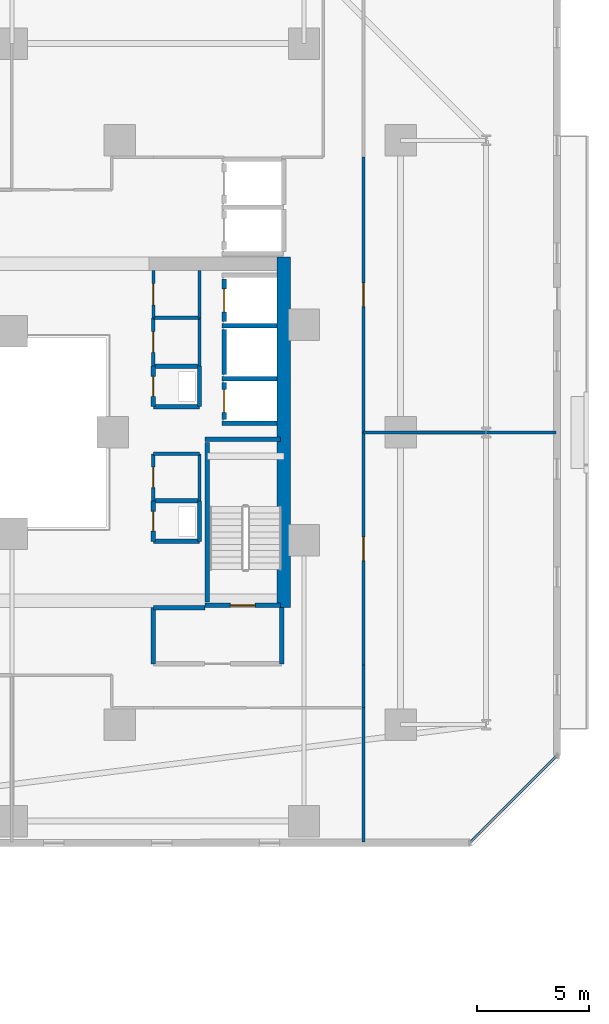
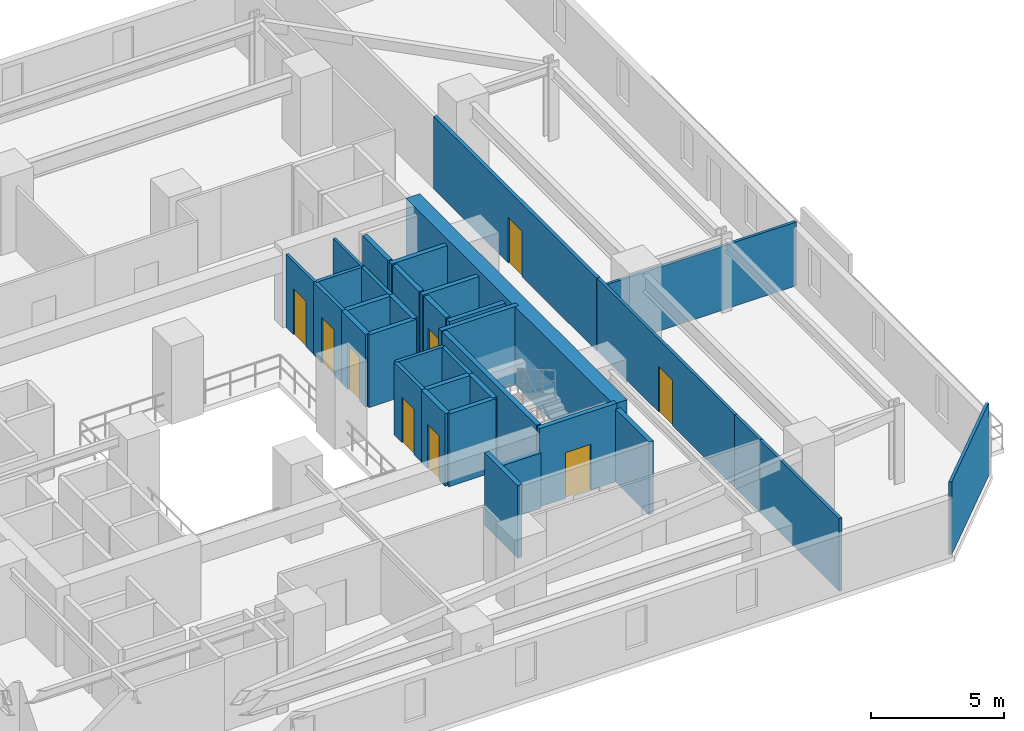
# One storey, part 25 of 34: 35 walls, 10 doors, 10 openings.
"""IFC4 building model written with IfcOpenShell, lengths in metres."""

from ifc_helpers import new_model, si_unit, direction, frame, frame_2d, origin, place, context, subcontext, project, spatial, rectangle, extrude, material, layer, layer_set, type_object, element, fill, save


model = new_model("IFC4")

# Units and contexts
model_context = context("Model", 3, precision=1e-05, world=origin(), true_north=direction((0.0, 1.0)))
body_context = subcontext(model_context, "Body", "Model", "MODEL_VIEW")
ifc_project = project(units=[si_unit("LENGTHUNIT", "METRE"), si_unit("AREAUNIT", "SQUARE_METRE"), si_unit("VOLUMEUNIT", "CUBIC_METRE"), si_unit("PLANEANGLEUNIT", "RADIAN"), si_unit("MASSUNIT", "GRAM", prefix="KILO")], contexts=[model_context])

# Site, building, storey
site_placement = place(None, origin())
site = spatial("IfcSite", under=ifc_project, at=site_placement, CompositionType="ELEMENT")
building_placement = place(site_placement, origin())
building = spatial("IfcBuilding", under=site, at=building_placement, Name="Thornwick Lancets Civic Towers", CompositionType="ELEMENT")
storey_placement = place(building_placement, frame((0.0, 0.0, 53.699951171875)))
storey = spatial("IfcBuildingStorey", under=building, at=storey_placement, Name="L13", CompositionType="ELEMENT", Elevation=53.699951171875)

# Wall, opening, door
ifc_material_1 = material(Name="Concrete blockwork C40/50", Category="masonry")
ifc_layer_1 = layer(ifc_material_1, 0.199951171875, Name="Concrete blockwork C40/50")
ifc_layer_set_1 = layer_set([ifc_layer_1], Name="Concrete blockwork C40/50")
wall_type_1 = type_object("IfcWallType", Name="WALL_COMP_200", PredefinedType="STANDARD", material=ifc_layer_set_1)
wall_1_placement = place(storey_placement, frame((97.949951171875, 29.219970703125, 0.0), z_axis=(0.0, 0.0, 1.0), x_axis=(0.0, -1.0, 0.0)))
wall_1 = element("IfcWall", 1, at=wall_1_placement, inside=storey, type_object=wall_type_1, Name="L13 Hoistway Front Wall FL-B1", PredefinedType="STANDARD", context=body_context, shape_type="SweptSolid", body=[
    extrude(rectangle(XDim=1.639892578125, YDim=0.199951171875, at=frame_2d((0.81982421875, 0.0))), origin(), (0.0, 0.0, 1.0), 3.340087890625),
])
opening_1_placement = place(wall_1_placement, frame((0.31005859375, 0.0, 0.0)))
opening_1 = element("IfcOpeningElement", 2, at=opening_1_placement, cuts=wall_1, Name="Opening LD-FL-B1", PredefinedType="OPENING", context=body_context, shape_type="SweptSolid", body=[
    extrude(rectangle(XDim=1.02001953125, YDim=2.06005859375, at=frame_2d((0.510009765625, 1.030029296875))), frame((0.0, 0.10986328125, 0.0), z_axis=(0.0, -1.0, 0.0), x_axis=(1.0, 0.0, 0.0)), (0.0, 0.0, 1.0), 0.219970703125),
])
ifc_material_2 = material(Name="Brushed bronze stainless steel", Category="steel")
door_type_1 = type_object("IfcDoorType", Name="DOOR_LIFT_SLIDE", OperationType="SLIDING_TO_LEFT", PredefinedType="DOOR", material=ifc_material_2)
door_1_placement = place(opening_1_placement, origin())
door_1 = element("IfcDoor", 3, at=door_1_placement, inside=storey, type_object=door_type_1, Name="L13 Sliding Lift Landing Door LD-FL-B1", OperationType="SLIDING_TO_LEFT", OverallHeight=2.06005859375, OverallWidth=1.02001953125, PredefinedType="DOOR", context=body_context, shape_type="SweptSolid", body=[
    extrude(rectangle(XDim=1.02001953125, YDim=2.06005859375, at=frame_2d((0.510009765625, 1.030029296875))), frame((0.0, 0.02490234375, 0.0), z_axis=(0.0, -1.0, 0.0), x_axis=(1.0, 0.0, 0.0)), (0.0, 0.0, 1.0), 0.050048828125),
])
fill(opening_1, door_1)

# Wall
wall_2_placement = place(storey_placement, frame((97.949951171875, 31.570068359375, 0.0), z_axis=(0.0, 0.0, 1.0), x_axis=(0.0, -1.0, 0.0)))
element("IfcWall", 4, at=wall_2_placement, inside=storey, type_object=wall_type_1, Name="L13 Hoistway Front Wall PL-BH1", PredefinedType="STANDARD", context=body_context, shape_type="SweptSolid", body=[
    extrude(rectangle(XDim=1.989990234375, YDim=0.199951171875, at=frame_2d((0.9951171875, 0.0))), origin(), (0.0, 0.0, 1.0), 3.340087890625),
])

# Wall, opening, door
wall_3_placement = place(storey_placement, frame((97.949951171875, 33.820068359375, 0.0), z_axis=(0.0, 0.0, 1.0), x_axis=(0.0, -1.0, 0.0)))
wall_3 = element("IfcWall", 5, at=wall_3_placement, inside=storey, type_object=wall_type_1, Name="L13 Hoistway Front Wall PL-BL1", PredefinedType="STANDARD", context=body_context, shape_type="SweptSolid", body=[
    extrude(rectangle(XDim=1.89013671875, YDim=0.199951171875, at=frame_2d((0.945068359375, 0.0))), origin(), (0.0, 0.0, 1.0), 3.340087890625),
])
opening_2_placement = place(wall_3_placement, frame((0.43505859375, 0.0, 0.0)))
opening_2 = element("IfcOpeningElement", 6, at=opening_2_placement, cuts=wall_3, Name="Opening LD-PL-BL1", PredefinedType="OPENING", context=body_context, shape_type="SweptSolid", body=[
    extrude(rectangle(XDim=1.02001953125, YDim=2.06005859375, at=frame_2d((0.510009765625, 1.030029296875))), frame((0.0, 0.10986328125, 0.0), z_axis=(0.0, -1.0, 0.0), x_axis=(1.0, 0.0, 0.0)), (0.0, 0.0, 1.0), 0.219970703125),
])
door_2_placement = place(opening_2_placement, origin())
door_2 = element("IfcDoor", 7, at=door_2_placement, inside=storey, type_object=door_type_1, Name="L13 Sliding Lift Landing Door LD-PL-BL1", OperationType="SLIDING_TO_LEFT", OverallHeight=2.06005859375, OverallWidth=1.02001953125, PredefinedType="DOOR", context=body_context, shape_type="SweptSolid", body=[
    extrude(rectangle(XDim=1.02001953125, YDim=2.06005859375, at=frame_2d((0.510009765625, 1.030029296875))), frame((0.0, 0.02490234375, 0.0), z_axis=(0.0, -1.0, 0.0), x_axis=(1.0, 0.0, 0.0)), (0.0, 0.0, 1.0), 0.050048828125),
])
fill(opening_2, door_2)

# Walls
for number, where, z_axis, x_axis, name in (
    (8, (97.85205078125, 29.39990234375, 0.0), (0.0, 0.0, 1.0), (1.0, 0.0, 0.0), "L13 Hoistway Shaft Wall FL-B1 N"),
    (9, (97.85205078125, 27.39990234375, 0.0), (0.0, 0.0, 1.0), (1.0, 0.0, 0.0), "L13 Hoistway Shaft Wall FL-B1 S"),
    (10, (97.85205078125, 31.75, 0.0), (0.0, 0.0, 1.0), (1.0, 0.0, 0.0), "L13 Hoistway Shaft Wall PL-BH1 N"),
):
    element("IfcWall", number, at=place(storey_placement, frame(where, z_axis=z_axis, x_axis=x_axis)), inside=storey, type_object=wall_type_1, Name=name, PredefinedType="STANDARD", context=body_context, shape_type="SweptSolid", body=[
        extrude(rectangle(XDim=2.43603515625, YDim=0.199951171875, at=frame_2d((1.218017578125, 0.0))), origin(), (0.0, 0.0, 1.0), 3.340087890625),
    ])
wall_4_placement = place(storey_placement, frame((100.5, 16.699951171875, 0.0), z_axis=(0.0, 0.0, 1.0), x_axis=(0.0, 1.0, 0.0)))
element("IfcWall", 11, at=wall_4_placement, inside=storey, type_object=wall_type_1, Name="L13 Partition L13-B-FFLOB1 E2", PredefinedType="STANDARD", context=body_context, shape_type="SweptSolid", body=[
    extrude(rectangle(XDim=2.5, YDim=0.199951171875, at=frame_2d((1.25, 0.0))), origin(), (0.0, 0.0, 1.0), 3.340087890625),
])
wall_5_placement = place(storey_placement, frame((97.10009765625, 19.199951171875, 0.0), z_axis=(0.0, 0.0, 1.0), x_axis=(-1.0, 0.0, 0.0)))
element("IfcWall", 12, at=wall_5_placement, inside=storey, type_object=wall_type_1, Name="L13 Partition L13-B-FFLOB1 E3", PredefinedType="STANDARD", context=body_context, shape_type="SweptSolid", body=[
    extrude(rectangle(XDim=2.300048828125, YDim=0.199951171875, at=frame_2d((1.14990234375, 0.0))), origin(), (0.0, 0.0, 1.0), 2.545166015625),
])
wall_6_placement = place(storey_placement, frame((94.800048828125, 19.199951171875, 0.0), z_axis=(0.0, 0.0, 1.0), x_axis=(0.0, -1.0, 0.0)))
element("IfcWall", 13, at=wall_6_placement, inside=storey, type_object=wall_type_1, Name="L13 Partition L13-B-FFLOB1 E4", PredefinedType="STANDARD", context=body_context, shape_type="SweptSolid", body=[
    extrude(rectangle(XDim=2.5, YDim=0.199951171875, at=frame_2d((1.25, 0.0))), origin(), (0.0, 0.0, 1.0), 3.340087890625),
])
wall_7_placement = place(storey_placement, frame((94.800048828125, 28.14990234375, 0.0), z_axis=(0.0, 0.0, 1.0), x_axis=(1.0, 0.0, 0.0)))
element("IfcWall", 14, at=wall_7_placement, inside=storey, type_object=wall_type_1, Name="L13 Partition L13-B-DUCT1 E1", PredefinedType="STANDARD", context=body_context, shape_type="SweptSolid", body=[
    extrude(rectangle(XDim=2.050048828125, YDim=0.199951171875, at=frame_2d((1.02490234375, 0.0))), origin(), (0.0, 0.0, 1.0), 3.340087890625),
])
wall_8_placement = place(storey_placement, frame((96.85009765625, 28.14990234375, 0.0), z_axis=(0.0, 0.0, 1.0), x_axis=(0.0, 1.0, 0.0)))
element("IfcWall", 15, at=wall_8_placement, inside=storey, type_object=wall_type_1, Name="L13 Partition L13-B-DUCT1 E2", PredefinedType="STANDARD", context=body_context, shape_type="SweptSolid", body=[
    extrude(rectangle(XDim=1.800048828125, YDim=0.199951171875, at=frame_2d((0.89990234375, 0.0))), origin(), (0.0, 0.0, 1.0), 3.340087890625),
])
wall_9_placement = place(storey_placement, frame((96.85009765625, 29.949951171875, 0.0), z_axis=(0.0, 0.0, 1.0), x_axis=(-1.0, 0.0, 0.0)))
element("IfcWall", 16, at=wall_9_placement, inside=storey, type_object=wall_type_1, Name="L13 Partition L13-B-DUCT1 E3", PredefinedType="STANDARD", context=body_context, shape_type="SweptSolid", body=[
    extrude(rectangle(XDim=2.050048828125, YDim=0.199951171875, at=frame_2d((1.02490234375, 0.0))), origin(), (0.0, 0.0, 1.0), 3.340087890625),
])

# Wall, opening, door
wall_10_placement = place(storey_placement, frame((94.800048828125, 29.949951171875, 0.0), z_axis=(0.0, 0.0, 1.0), x_axis=(0.0, -1.0, 0.0)))
wall_10 = element("IfcWall", 17, at=wall_10_placement, inside=storey, type_object=wall_type_1, Name="L13 Partition L13-B-DUCT1 E4", PredefinedType="STANDARD", context=body_context, shape_type="SweptSolid", body=[
    extrude(rectangle(XDim=1.800048828125, YDim=0.199951171875, at=frame_2d((0.89990234375, 0.0))), origin(), (0.0, 0.0, 1.0), 3.340087890625),
])
opening_3_placement = place(wall_10_placement, frame((0.4599609375, 0.0, 0.0)))
opening_3 = element("IfcOpeningElement", 18, at=opening_3_placement, cuts=wall_10, Name="Opening D-L13-0638", PredefinedType="OPENING", context=body_context, shape_type="SweptSolid", body=[
    extrude(rectangle(XDim=0.8798828125, YDim=2.0400390625, at=frame_2d((0.43994140625, 1.02001953125))), frame((0.0, 0.10986328125, 0.0), z_axis=(0.0, -1.0, 0.0), x_axis=(1.0, 0.0, 0.0)), (0.0, 0.0, 1.0), 0.219970703125),
])
ifc_material_3 = material(Name="Steel riser access doorset", Category="steel")
door_type_2 = type_object("IfcDoorType", Name="DOOR_RISER_850", OperationType="NOTDEFINED", PredefinedType="DOOR", material=ifc_material_3)
door_3_placement = place(opening_3_placement, origin())
door_3 = element("IfcDoor", 19, at=door_3_placement, inside=storey, type_object=door_type_2, Name="L13 East Service Duct 1 Door", OperationType="SINGLE_SWING_LEFT", OverallHeight=2.0400390625, OverallWidth=0.8798828125, PredefinedType="DOOR", context=body_context, shape_type="SweptSolid", body=[
    extrude(rectangle(XDim=0.8798828125, YDim=2.0400390625, at=frame_2d((0.43994140625, 1.02001953125))), frame((0.0, 0.02490234375, 0.0), z_axis=(0.0, -1.0, 0.0), x_axis=(1.0, 0.0, 0.0)), (0.0, 0.0, 1.0), 0.050048828125),
])
fill(opening_3, door_3)

# Walls
wall_11_placement = place(storey_placement, frame((94.800048828125, 22.14990234375, 0.0), z_axis=(0.0, 0.0, 1.0), x_axis=(1.0, 0.0, 0.0)))
element("IfcWall", 20, at=wall_11_placement, inside=storey, type_object=wall_type_1, Name="L13 Partition L13-B-RISER1 E1", PredefinedType="STANDARD", context=body_context, shape_type="SweptSolid", body=[
    extrude(rectangle(XDim=2.050048828125, YDim=0.199951171875, at=frame_2d((1.02490234375, 0.0))), origin(), (0.0, 0.0, 1.0), 3.340087890625),
])
wall_12_placement = place(storey_placement, frame((96.85009765625, 22.14990234375, 0.0), z_axis=(0.0, 0.0, 1.0), x_axis=(0.0, 1.0, 0.0)))
element("IfcWall", 21, at=wall_12_placement, inside=storey, type_object=wall_type_1, Name="L13 Partition L13-B-RISER1 E2", PredefinedType="STANDARD", context=body_context, shape_type="SweptSolid", body=[
    extrude(rectangle(XDim=1.800048828125, YDim=0.199951171875, at=frame_2d((0.89990234375, 0.0))), origin(), (0.0, 0.0, 1.0), 3.340087890625),
])
wall_13_placement = place(storey_placement, frame((96.85009765625, 23.949951171875, 0.0), z_axis=(0.0, 0.0, 1.0), x_axis=(-1.0, 0.0, 0.0)))
element("IfcWall", 22, at=wall_13_placement, inside=storey, type_object=wall_type_1, Name="L13 Partition L13-B-RISER1 E3", PredefinedType="STANDARD", context=body_context, shape_type="SweptSolid", body=[
    extrude(rectangle(XDim=2.050048828125, YDim=0.199951171875, at=frame_2d((1.02490234375, 0.0))), origin(), (0.0, 0.0, 1.0), 3.340087890625),
])

# Wall, opening, door
wall_14_placement = place(storey_placement, frame((94.800048828125, 23.949951171875, 0.0), z_axis=(0.0, 0.0, 1.0), x_axis=(0.0, -1.0, 0.0)))
wall_14 = element("IfcWall", 23, at=wall_14_placement, inside=storey, type_object=wall_type_1, Name="L13 Partition L13-B-RISER1 E4", PredefinedType="STANDARD", context=body_context, shape_type="SweptSolid", body=[
    extrude(rectangle(XDim=1.800048828125, YDim=0.199951171875, at=frame_2d((0.89990234375, 0.0))), origin(), (0.0, 0.0, 1.0), 3.340087890625),
])
opening_4_placement = place(wall_14_placement, frame((0.4599609375, 0.0, 0.0)))
opening_4 = element("IfcOpeningElement", 24, at=opening_4_placement, cuts=wall_14, Name="Opening D-L13-0639", PredefinedType="OPENING", context=body_context, shape_type="SweptSolid", body=[
    extrude(rectangle(XDim=0.8798828125, YDim=2.0400390625, at=frame_2d((0.43994140625, 1.02001953125))), frame((0.0, 0.10986328125, 0.0), z_axis=(0.0, -1.0, 0.0), x_axis=(1.0, 0.0, 0.0)), (0.0, 0.0, 1.0), 0.219970703125),
])
door_4_placement = place(opening_4_placement, origin())
door_4 = element("IfcDoor", 25, at=door_4_placement, inside=storey, type_object=door_type_2, Name="L13 East Electrical Riser 1 Door", OperationType="SINGLE_SWING_RIGHT", OverallHeight=2.0400390625, OverallWidth=0.8798828125, PredefinedType="DOOR", context=body_context, shape_type="SweptSolid", body=[
    extrude(rectangle(XDim=0.8798828125, YDim=2.0400390625, at=frame_2d((0.43994140625, 1.02001953125))), frame((0.0, 0.02490234375, 0.0), z_axis=(0.0, -1.0, 0.0), x_axis=(1.0, 0.0, 0.0)), (0.0, 0.0, 1.0), 0.050048828125),
])
fill(opening_4, door_4)

# Wall
ifc_material_4 = material(Name="Concrete C60/75", Category="concrete")
ifc_layer_2 = layer(ifc_material_4, 0.60009765625, Name="Concrete C60/75")
ifc_layer_set_2 = layer_set([ifc_layer_2], Name="Concrete C60/75")
wall_type_2 = type_object("IfcWallType", Name="WALL_CORE_600", PredefinedType="SHEAR", material=ifc_layer_set_2)
wall_15_placement = place(storey_placement, frame((100.60009765625, 19.199951171875, 0.0), z_axis=(0.0, 0.0, 1.0), x_axis=(0.0, 1.0, 0.0)))
element("IfcWall", 26, at=wall_15_placement, inside=storey, type_object=wall_type_2, Name="L13 Split Core B1 Shear Wall E", PredefinedType="SHEAR", context=body_context, shape_type="SweptSolid", body=[
    extrude(rectangle(XDim=15.60009765625, YDim=0.60009765625, at=frame_2d((7.800048828125, 0.0))), origin(), (0.0, 0.0, 1.0), 3.60009765625),
])

# Wall, opening, door
ifc_material_5 = material(Name="Acoustic gypsum board partition")
ifc_layer_3 = layer(ifc_material_5, 0.1201171875, Name="Acoustic gypsum board partition")
ifc_layer_set_3 = layer_set([ifc_layer_3], Name="Acoustic gypsum board partition")
wall_type_3 = type_object("IfcWallType", Name="WALL_PART_120", PredefinedType="PARTITIONING", material=ifc_layer_set_3)
wall_16_placement = place(storey_placement, frame((94.800048828125, 32.10009765625, 0.0), z_axis=(0.0, 0.0, 1.0), x_axis=(0.0, 1.0, 0.0)))
wall_16 = element("IfcWall", 27, at=wall_16_placement, inside=storey, type_object=wall_type_3, Name="L13 Partition L13-B-ITR E1", PredefinedType="PARTITIONING", context=body_context, shape_type="SweptSolid", body=[
    extrude(rectangle(XDim=2.099853515625, YDim=0.1201171875, at=frame_2d((1.0498046875, 0.0))), origin(), (0.0, 0.0, 1.0), 3.340087890625),
])
opening_5_placement = place(wall_16_placement, frame((0.574951171875, 0.0, 0.0)))
opening_5 = element("IfcOpeningElement", 28, at=opening_5_placement, cuts=wall_16, Name="Opening D-L13-0644", PredefinedType="OPENING", context=body_context, shape_type="SweptSolid", body=[
    extrude(rectangle(XDim=0.949951171875, YDim=2.10009765625, at=frame_2d((0.47509765625, 1.050048828125))), frame((0.0, 0.070068359375, 0.0), z_axis=(0.0, -1.0, 0.0), x_axis=(1.0, 0.0, 0.0)), (0.0, 0.0, 1.0), 0.14013671875),
])
ifc_material_6 = material(Name="European oak acoustic doorset")
door_type_3 = type_object("IfcDoorType", Name="DOOR_OFFICE_950", OperationType="NOTDEFINED", PredefinedType="DOOR", material=ifc_material_6)
door_5_placement = place(opening_5_placement, origin())
door_5 = element("IfcDoor", 29, at=door_5_placement, inside=storey, type_object=door_type_3, Name="L13 Tower B Comms Patch Room Door", OperationType="SINGLE_SWING_LEFT", OverallHeight=2.10009765625, OverallWidth=0.949951171875, PredefinedType="DOOR", context=body_context, shape_type="SweptSolid", body=[
    extrude(rectangle(XDim=0.949951171875, YDim=2.10009765625, at=frame_2d((0.47509765625, 1.050048828125))), frame((0.0, 0.02490234375, 0.0), z_axis=(0.0, -1.0, 0.0), x_axis=(1.0, 0.0, 0.0)), (0.0, 0.0, 1.0), 0.050048828125),
])
fill(opening_5, door_5)

# Walls
wall_17_placement = place(storey_placement, frame((96.85009765625, 34.199951171875, 0.0), z_axis=(0.0, 0.0, 1.0), x_axis=(0.0, -1.0, 0.0)))
element("IfcWall", 30, at=wall_17_placement, inside=storey, type_object=wall_type_3, Name="L13 Partition L13-B-ITR E3", PredefinedType="PARTITIONING", context=body_context, shape_type="SweptSolid", body=[
    extrude(rectangle(XDim=2.099853515625, YDim=0.1201171875, at=frame_2d((1.0498046875, 0.0))), origin(), (0.0, 0.0, 1.0), 3.340087890625),
])
wall_18_placement = place(storey_placement, frame((104.14990234375, 14.75, 0.0), z_axis=(0.0, 0.0, 1.0), x_axis=(0.0, -1.0, 0.0)))
element("IfcWall", 31, at=wall_18_placement, inside=storey, type_object=wall_type_3, Name="L13 Partition L13-B-W1 E4", PredefinedType="PARTITIONING", context=body_context, shape_type="SweptSolid", body=[
    extrude(rectangle(XDim=5.969970703125, YDim=0.1201171875, at=frame_2d((2.98486328125, 0.0))), origin(), (0.0, 0.0, 1.0), 3.340087890625),
])
wall_19_placement = place(storey_placement, frame((104.14990234375, 14.75, 0.0), z_axis=(0.0, 0.0, 1.0), x_axis=(0.0, 1.0, 0.0)))
element("IfcWall", 32, at=wall_19_placement, inside=storey, type_object=wall_type_3, Name="L13 Partition L13-B-S-OFF E3", PredefinedType="PARTITIONING", context=body_context, shape_type="SweptSolid", body=[
    extrude(rectangle(XDim=1.89990234375, YDim=0.1201171875, at=frame_2d((0.949951171875, 0.0))), origin(), (0.0, 0.0, 1.0), 3.340087890625),
])

# Wall, opening, door
wall_20_placement = place(storey_placement, frame((104.14990234375, 16.64990234375, 0.0), z_axis=(0.0, 0.0, 1.0), x_axis=(0.0, 1.0, 0.0)))
wall_20 = element("IfcWall", 33, at=wall_20_placement, inside=storey, type_object=wall_type_3, Name="L13 Partition L13-B-S-OFF E4", PredefinedType="PARTITIONING", context=body_context, shape_type="SweptSolid", body=[
    extrude(rectangle(XDim=10.35009765625, YDim=0.1201171875, at=frame_2d((5.175048828125, 0.0))), origin(), (0.0, 0.0, 1.0), 3.340087890625),
])
opening_6_placement = place(wall_20_placement, frame((4.64990234375, 0.0, 0.0)))
opening_6 = element("IfcOpeningElement", 34, at=opening_6_placement, cuts=wall_20, Name="Opening D-L13-0657", PredefinedType="OPENING", context=body_context, shape_type="SweptSolid", body=[
    extrude(rectangle(XDim=1.050048828125, YDim=2.10009765625, at=frame_2d((0.52490234375, 1.050048828125))), frame((0.0, 0.070068359375, 0.0), z_axis=(0.0, -1.0, 0.0), x_axis=(1.0, 0.0, 0.0)), (0.0, 0.0, 1.0), 0.14013671875),
])
ifc_material_7 = material(Name="Glazed European oak executive doorset")
door_type_4 = type_object("IfcDoorType", Name="DOOR_OFFICE_1050", OperationType="NOTDEFINED", PredefinedType="DOOR", material=ifc_material_7)
door_6_placement = place(opening_6_placement, origin())
door_6 = element("IfcDoor", 35, at=door_6_placement, inside=storey, type_object=door_type_4, Name="L13 Tower B South Division Office Door", OperationType="SINGLE_SWING_RIGHT", OverallHeight=2.10009765625, OverallWidth=1.050048828125, PredefinedType="DOOR", context=body_context, shape_type="SweptSolid", body=[
    extrude(rectangle(XDim=1.050048828125, YDim=2.10009765625, at=frame_2d((0.52490234375, 1.050048828125))), frame((0.0, 0.02490234375, 0.0), z_axis=(0.0, -1.0, 0.0), x_axis=(1.0, 0.0, 0.0)), (0.0, 0.0, 1.0), 0.050048828125),
])
fill(opening_6, door_6)

# Walls
wall_21_placement = place(storey_placement, frame((104.14990234375, 27.0, 0.0), z_axis=(0.0, 0.0, 1.0), x_axis=(1.0, 0.0, 0.0)))
element("IfcWall", 36, at=wall_21_placement, inside=storey, type_object=wall_type_3, Name="L13 Partition L13-B-S-OFF E5", PredefinedType="PARTITIONING", context=body_context, shape_type="SweptSolid", body=[
    extrude(rectangle(XDim=8.570068359375, YDim=0.1201171875, at=frame_2d((4.28515625, 0.0))), origin(), (0.0, 0.0, 1.0), 2.93212890625),
])
wall_22_placement = place(storey_placement, frame((112.719970703125, 12.58349609375, 0.0), z_axis=(0.0, 0.0, 1.0), x_axis=(-0.707106781187, -0.707106781187, 0.0)))
element("IfcWall", 37, at=wall_22_placement, inside=storey, type_object=wall_type_3, Name="L13 Partition L13-B-S-OFF E7", PredefinedType="PARTITIONING", context=body_context, shape_type="SweptSolid", body=[
    extrude(rectangle(XDim=5.37890625, YDim=0.1201171875, at=frame_2d((2.689453125, 0.0))), origin(), (0.0, 0.0, 1.0), 3.340087890625),
])

# Wall, opening, door
ifc_material_8 = material(Name="Twin-stud acoustic gypsum board")
ifc_layer_4 = layer(ifc_material_8, 0.14990234375, Name="Twin-stud acoustic gypsum board")
ifc_layer_set_4 = layer_set([ifc_layer_4], Name="Twin-stud acoustic gypsum board")
wall_type_4 = type_object("IfcWallType", Name="WALL_PART_150", PredefinedType="PARTITIONING", material=ifc_layer_set_4)
wall_23_placement = place(storey_placement, frame((94.800048828125, 23.949951171875, 0.0), z_axis=(0.0, 0.0, 1.0), x_axis=(0.0, 1.0, 0.0)))
wall_23 = element("IfcWall", 38, at=wall_23_placement, inside=storey, type_object=wall_type_4, Name="L13 Partition L13-B-MWC E1", PredefinedType="PARTITIONING", context=body_context, shape_type="SweptSolid", body=[
    extrude(rectangle(XDim=2.10009765625, YDim=0.14990234375, at=frame_2d((1.050048828125, 0.0))), origin(), (0.0, 0.0, 1.0), 3.340087890625),
])
opening_7_placement = place(wall_23_placement, frame((0.590087890625, 0.0, 0.0)))
opening_7 = element("IfcOpeningElement", 39, at=opening_7_placement, cuts=wall_23, Name="Opening D-L13-0642", PredefinedType="OPENING", context=body_context, shape_type="SweptSolid", body=[
    extrude(rectangle(XDim=0.919921875, YDim=2.080078125, at=frame_2d((0.4599609375, 1.0400390625))), frame((0.0, 0.0849609375, 0.0), z_axis=(0.0, -1.0, 0.0), x_axis=(1.0, 0.0, 0.0)), (0.0, 0.0, 1.0), 0.169921875),
])
ifc_material_9 = material(Name="Moisture-resistant oak doorset")
door_type_5 = type_object("IfcDoorType", Name="DOOR_WC_900", OperationType="NOTDEFINED", PredefinedType="DOOR", material=ifc_material_9)
door_7_placement = place(opening_7_placement, origin())
door_7 = element("IfcDoor", 40, at=door_7_placement, inside=storey, type_object=door_type_5, Name="L13 Tower B Male WC Door", OperationType="SINGLE_SWING_LEFT", OverallHeight=2.080078125, OverallWidth=0.919921875, PredefinedType="DOOR", context=body_context, shape_type="SweptSolid", body=[
    extrude(rectangle(XDim=0.919921875, YDim=2.080078125, at=frame_2d((0.4599609375, 1.0400390625))), frame((0.0, 0.02490234375, 0.0), z_axis=(0.0, -1.0, 0.0), x_axis=(1.0, 0.0, 0.0)), (0.0, 0.0, 1.0), 0.050048828125),
])
fill(opening_7, door_7)

# Walls
wall_24_placement = place(storey_placement, frame((94.800048828125, 26.050048828125, 0.0), z_axis=(0.0, 0.0, 1.0), x_axis=(1.0, 0.0, 0.0)))
element("IfcWall", 41, at=wall_24_placement, inside=storey, type_object=wall_type_4, Name="L13 Partition L13-B-MWC E2", PredefinedType="PARTITIONING", context=body_context, shape_type="SweptSolid", body=[
    extrude(rectangle(XDim=2.050048828125, YDim=0.14990234375, at=frame_2d((1.02490234375, 0.0))), origin(), (0.0, 0.0, 1.0), 3.340087890625),
])
wall_25_placement = place(storey_placement, frame((96.85009765625, 26.050048828125, 0.0), z_axis=(0.0, 0.0, 1.0), x_axis=(0.0, -1.0, 0.0)))
element("IfcWall", 42, at=wall_25_placement, inside=storey, type_object=wall_type_4, Name="L13 Partition L13-B-MWC E3", PredefinedType="PARTITIONING", context=body_context, shape_type="SweptSolid", body=[
    extrude(rectangle(XDim=2.10009765625, YDim=0.14990234375, at=frame_2d((1.050048828125, 0.0))), origin(), (0.0, 0.0, 1.0), 3.340087890625),
])

# Wall, opening, door
wall_26_placement = place(storey_placement, frame((94.800048828125, 29.949951171875, 0.0), z_axis=(0.0, 0.0, 1.0), x_axis=(0.0, 1.0, 0.0)))
wall_26 = element("IfcWall", 43, at=wall_26_placement, inside=storey, type_object=wall_type_4, Name="L13 Partition L13-B-FWC E1", PredefinedType="PARTITIONING", context=body_context, shape_type="SweptSolid", body=[
    extrude(rectangle(XDim=2.150146484375, YDim=0.14990234375, at=frame_2d((1.0751953125, 0.0))), origin(), (0.0, 0.0, 1.0), 3.340087890625),
])
opening_8_placement = place(wall_26_placement, frame((0.614990234375, 0.0, 0.0)))
opening_8 = element("IfcOpeningElement", 44, at=opening_8_placement, cuts=wall_26, Name="Opening D-L13-0643", PredefinedType="OPENING", context=body_context, shape_type="SweptSolid", body=[
    extrude(rectangle(XDim=0.919921875, YDim=2.080078125, at=frame_2d((0.4599609375, 1.0400390625))), frame((0.0, 0.0849609375, 0.0), z_axis=(0.0, -1.0, 0.0), x_axis=(1.0, 0.0, 0.0)), (0.0, 0.0, 1.0), 0.169921875),
])
door_8_placement = place(opening_8_placement, origin())
door_8 = element("IfcDoor", 45, at=door_8_placement, inside=storey, type_object=door_type_5, Name="L13 Tower B Female WC Door", OperationType="SINGLE_SWING_RIGHT", OverallHeight=2.080078125, OverallWidth=0.919921875, PredefinedType="DOOR", context=body_context, shape_type="SweptSolid", body=[
    extrude(rectangle(XDim=0.919921875, YDim=2.080078125, at=frame_2d((0.4599609375, 1.0400390625))), frame((0.0, 0.02490234375, 0.0), z_axis=(0.0, -1.0, 0.0), x_axis=(1.0, 0.0, 0.0)), (0.0, 0.0, 1.0), 0.050048828125),
])
fill(opening_8, door_8)

# Walls
wall_27_placement = place(storey_placement, frame((94.800048828125, 32.10009765625, 0.0), z_axis=(0.0, 0.0, 1.0), x_axis=(1.0, 0.0, 0.0)))
element("IfcWall", 46, at=wall_27_placement, inside=storey, type_object=wall_type_4, Name="L13 Partition L13-B-FWC E2", PredefinedType="PARTITIONING", context=body_context, shape_type="SweptSolid", body=[
    extrude(rectangle(XDim=2.050048828125, YDim=0.14990234375, at=frame_2d((1.02490234375, 0.0))), origin(), (0.0, 0.0, 1.0), 3.340087890625),
])
wall_28_placement = place(storey_placement, frame((96.85009765625, 32.10009765625, 0.0), z_axis=(0.0, 0.0, 1.0), x_axis=(0.0, -1.0, 0.0)))
element("IfcWall", 47, at=wall_28_placement, inside=storey, type_object=wall_type_4, Name="L13 Partition L13-B-FWC E3", PredefinedType="PARTITIONING", context=body_context, shape_type="SweptSolid", body=[
    extrude(rectangle(XDim=2.150146484375, YDim=0.14990234375, at=frame_2d((1.0751953125, 0.0))), origin(), (0.0, 0.0, 1.0), 3.340087890625),
])

# Wall, opening, door
wall_29_placement = place(storey_placement, frame((104.14990234375, 27.0, 0.0), z_axis=(0.0, 0.0, 1.0), x_axis=(0.0, 1.0, 0.0)))
wall_29 = element("IfcWall", 48, at=wall_29_placement, inside=storey, type_object=wall_type_4, Name="L13 Partition L13-B-S-ARCH E1", PredefinedType="PARTITIONING", context=body_context, shape_type="SweptSolid", body=[
    extrude(rectangle(XDim=12.25, YDim=0.14990234375, at=frame_2d((6.125, 0.0))), origin(), (0.0, 0.0, 1.0), 3.340087890625),
])
opening_9_placement = place(wall_29_placement, frame((5.60009765625, 0.0, 0.0)))
opening_9 = element("IfcOpeningElement", 49, at=opening_9_placement, cuts=wall_29, Name="Opening D-L13-0658", PredefinedType="OPENING", context=body_context, shape_type="SweptSolid", body=[
    extrude(rectangle(XDim=1.050048828125, YDim=2.10009765625, at=frame_2d((0.52490234375, 1.050048828125))), frame((0.0, 0.0849609375, 0.0), z_axis=(0.0, -1.0, 0.0), x_axis=(1.0, 0.0, 0.0)), (0.0, 0.0, 1.0), 0.169921875),
])
door_9_placement = place(opening_9_placement, origin())
door_9 = element("IfcDoor", 50, at=door_9_placement, inside=storey, type_object=door_type_4, Name="L13 Tower B Registry and Records Archive Door", OperationType="SINGLE_SWING_LEFT", OverallHeight=2.10009765625, OverallWidth=1.050048828125, PredefinedType="DOOR", context=body_context, shape_type="SweptSolid", body=[
    extrude(rectangle(XDim=1.050048828125, YDim=2.10009765625, at=frame_2d((0.52490234375, 1.050048828125))), frame((0.0, 0.02490234375, 0.0), z_axis=(0.0, -1.0, 0.0), x_axis=(1.0, 0.0, 0.0)), (0.0, 0.0, 1.0), 0.050048828125),
])
fill(opening_9, door_9)

ifc_material_10 = material(Name="Concrete C40/50", Category="concrete")
ifc_layer_5 = layer(ifc_material_10, 0.199951171875, Name="Concrete C40/50")
ifc_layer_set_5 = layer_set([ifc_layer_5], Name="Concrete C40/50")
wall_type_5 = type_object("IfcWallType", Name="WALL_SHAFT_200", PredefinedType="SHEAR", material=ifc_layer_set_5)
wall_30_placement = place(storey_placement, frame((100.449951171875, 19.300048828125, 0.0), z_axis=(0.0, 0.0, 1.0), x_axis=(-1.0, 0.0, 0.0)))
wall_30 = element("IfcWall", 51, at=wall_30_placement, inside=storey, type_object=wall_type_5, Name="L13 ST-B1 Fire Stair Core Wall NEAR", PredefinedType="SHEAR", context=body_context, shape_type="SweptSolid", body=[
    extrude(rectangle(XDim=3.349853515625, YDim=0.199951171875, at=frame_2d((1.6748046875, 0.0))), origin(), (0.0, 0.0, 1.0), 3.60009765625),
])
opening_10_placement = place(wall_30_placement, frame((1.125, 0.0, 0.0)))
opening_10 = element("IfcOpeningElement", 52, at=opening_10_placement, cuts=wall_30, Name="Opening D-ST-B1-L13", PredefinedType="OPENING", context=body_context, shape_type="SweptSolid", body=[
    extrude(rectangle(XDim=1.10009765625, YDim=2.10009765625, at=frame_2d((0.550048828125, 1.050048828125))), frame((0.0, 0.10986328125, 0.0), z_axis=(0.0, -1.0, 0.0), x_axis=(1.0, 0.0, 0.0)), (0.0, 0.0, 1.0), 0.219970703125),
])
ifc_material_11 = material(Name="Fire-resisting steel and hardwood", Category="steel")
door_type_6 = type_object("IfcDoorType", Name="DOOR_STAIR_FD60", OperationType="NOTDEFINED", PredefinedType="DOOR", material=ifc_material_11)
door_10_placement = place(opening_10_placement, origin())
door_10 = element("IfcDoor", 53, at=door_10_placement, inside=storey, type_object=door_type_6, Name="L13 ST-B1 Exit Stair Door", OperationType="SINGLE_SWING_RIGHT", OverallHeight=2.10009765625, OverallWidth=1.10009765625, PredefinedType="DOOR", context=body_context, shape_type="SweptSolid", body=[
    extrude(rectangle(XDim=1.10009765625, YDim=2.10009765625, at=frame_2d((0.550048828125, 1.050048828125))), frame((0.0, 0.02490234375, 0.0), z_axis=(0.0, -1.0, 0.0), x_axis=(1.0, 0.0, 0.0)), (0.0, 0.0, 1.0), 0.050048828125),
])
fill(opening_10, door_10)

# Walls
wall_31_placement = place(storey_placement, frame((97.10009765625, 26.699951171875, 0.0), z_axis=(0.0, 0.0, 1.0), x_axis=(1.0, 0.0, 0.0)))
element("IfcWall", 54, at=wall_31_placement, inside=storey, type_object=wall_type_5, Name="L13 ST-B1 Fire Stair Core Wall FAR", PredefinedType="SHEAR", context=body_context, shape_type="SweptSolid", body=[
    extrude(rectangle(XDim=3.349853515625, YDim=0.199951171875, at=frame_2d((1.6748046875, 0.0))), origin(), (0.0, 0.0, 1.0), 3.60009765625),
])
wall_32_placement = place(storey_placement, frame((97.202880859375, 26.550048828125, 0.0), z_axis=(0.0, 0.0, 1.0), x_axis=(0.0, -1.0, 0.0)))
element("IfcWall", 55, at=wall_32_placement, inside=storey, type_object=wall_type_5, Name="L13 ST-B1 Fire Stair Core Wall RIGHT", PredefinedType="SHEAR", context=body_context, shape_type="SweptSolid", body=[
    extrude(rectangle(XDim=7.10009765625, YDim=0.199951171875, at=frame_2d((3.550048828125, 0.0))), origin(), (0.0, 0.0, 1.0), 3.60009765625),
])

save(model, "model.ifc")
